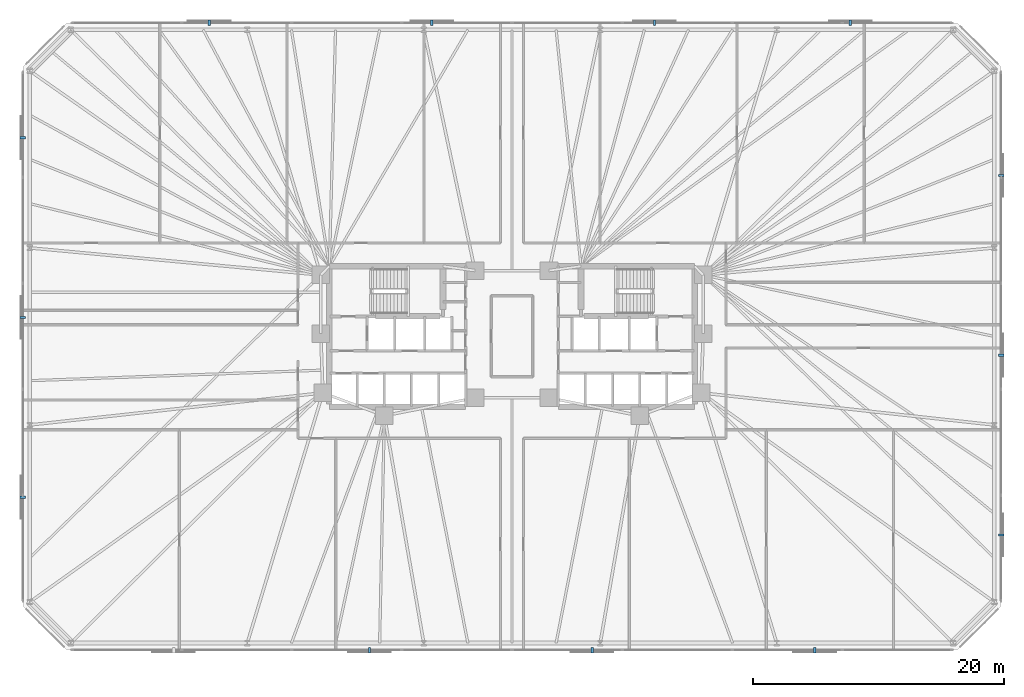
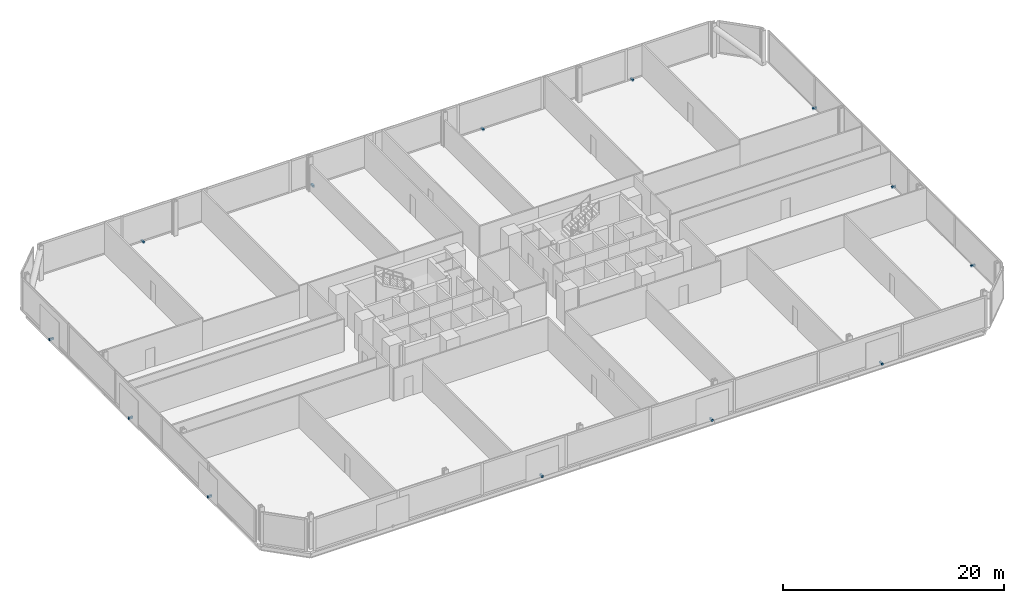
# One storey, part 16 of 17: 13 discrete accessories.
"""IFC4 building model written with IfcOpenShell, lengths in metres."""

from ifc_helpers import new_model, si_unit, direction, frame, origin, origin_2d, place, context, subcontext, project, spatial, rectangle, extrude, material, type_object, element, save


model = new_model("IFC4")

# Units and contexts
model_context = context("Model", 3, precision=1e-05, world=origin(), true_north=direction((0.0, 1.0)))
body_context = subcontext(model_context, "Body", "Model", "MODEL_VIEW")
ifc_project = project(units=[si_unit("LENGTHUNIT", "METRE"), si_unit("AREAUNIT", "SQUARE_METRE"), si_unit("VOLUMEUNIT", "CUBIC_METRE"), si_unit("PLANEANGLEUNIT", "RADIAN"), si_unit("MASSUNIT", "GRAM", prefix="KILO")], contexts=[model_context])

# Site, building, storey
site_placement = place(None, origin())
site = spatial("IfcSite", under=ifc_project, at=site_placement, CompositionType="ELEMENT")
building_placement = place(site_placement, origin())
building = spatial("IfcBuilding", under=site, at=building_placement, Name="Menara Jurai Vektor", CompositionType="ELEMENT")
storey_placement = place(building_placement, frame((0.0, 0.0, 52.199951171875)))
storey = spatial("IfcBuildingStorey", under=building, at=storey_placement, Name="L12", CompositionType="ELEMENT", Elevation=52.199951171875)

# Discrete accessories
ifc_material = material(Name="Steel S355", Category="steel")
discrete_accessory_type = type_object("IfcDiscreteAccessoryType", Name="ENV-ACC-BRACKET", PredefinedType="BRACKET", material=ifc_material)
for number, where, z_axis, x_axis, name in (
    (1, (-11.360107421875, -25.010009765625, -0.1298828125), (0.0, 0.0, 1.0), (1.0, 0.0, 0.0), "Solar Screen Stand-Off Bracket L12-S02"),
    (2, (6.389892578125, -25.010009765625, -0.1298828125), (0.0, 0.0, 1.0), (1.0, 0.0, 0.0), "Solar Screen Stand-Off Bracket L12-S03"),
    (3, (24.139892578125, -25.010009765625, -0.1298828125), (0.0, 0.0, 1.0), (1.0, 0.0, 0.0), "Solar Screen Stand-Off Bracket L12-S04"),
    (4, (39.010009765625, -15.83837890625, -0.1298828125), (0.0, 0.0, 1.0), (0.0, 1.0, 0.0), "Solar Screen Stand-Off Bracket L12-S05"),
    (5, (39.010009765625, -1.5048828125, -0.1298828125), (0.0, 0.0, 1.0), (0.0, 1.0, 0.0), "Solar Screen Stand-Off Bracket L12-S06"),
    (6, (39.010009765625, 12.828369140625, -0.1298828125), (0.0, 0.0, 1.0), (0.0, 1.0, 0.0), "Solar Screen Stand-Off Bracket L12-S07"),
    (7, (26.97998046875, 25.010009765625, -0.1298828125), (0.0, 0.0, 1.0), (-1.0, 0.0, 0.0), "Solar Screen Stand-Off Bracket L12-S08"),
    (8, (11.360107421875, 25.010009765625, -0.1298828125), (0.0, 0.0, 1.0), (-1.0, 0.0, 0.0), "Solar Screen Stand-Off Bracket L12-S09"),
    (9, (-6.389892578125, 25.010009765625, -0.1298828125), (0.0, 0.0, 1.0), (-1.0, 0.0, 0.0), "Solar Screen Stand-Off Bracket L12-S10"),
    (10, (-24.139892578125, 25.010009765625, -0.1298828125), (0.0, 0.0, 1.0), (-1.0, 0.0, 0.0), "Solar Screen Stand-Off Bracket L12-S11"),
    (11, (-39.010009765625, 15.83837890625, -0.1298828125), (0.0, 0.0, 1.0), (0.0, -1.0, 0.0), "Solar Screen Stand-Off Bracket L12-S12"),
    (12, (-39.010009765625, 1.5048828125, -0.1298828125), (0.0, 0.0, 1.0), (0.0, -1.0, 0.0), "Solar Screen Stand-Off Bracket L12-S13"),
    (13, (-39.010009765625, -12.828369140625, -0.1298828125), (0.0, 0.0, 1.0), (0.0, -1.0, 0.0), "Solar Screen Stand-Off Bracket L12-S14"),
):
    element("IfcDiscreteAccessory", number, at=place(storey_placement, frame(where, z_axis=z_axis, x_axis=x_axis)), inside=storey, type_object=discrete_accessory_type, Name=name, PredefinedType="BRACKET", context=body_context, shape_type="SweptSolid", body=[
        extrude(rectangle(XDim=0.179931640625, YDim=0.43994140625, at=origin_2d()), origin(), (0.0, 0.0, 1.0), 0.219970703125),
    ])

save(model, "model.ifc")
